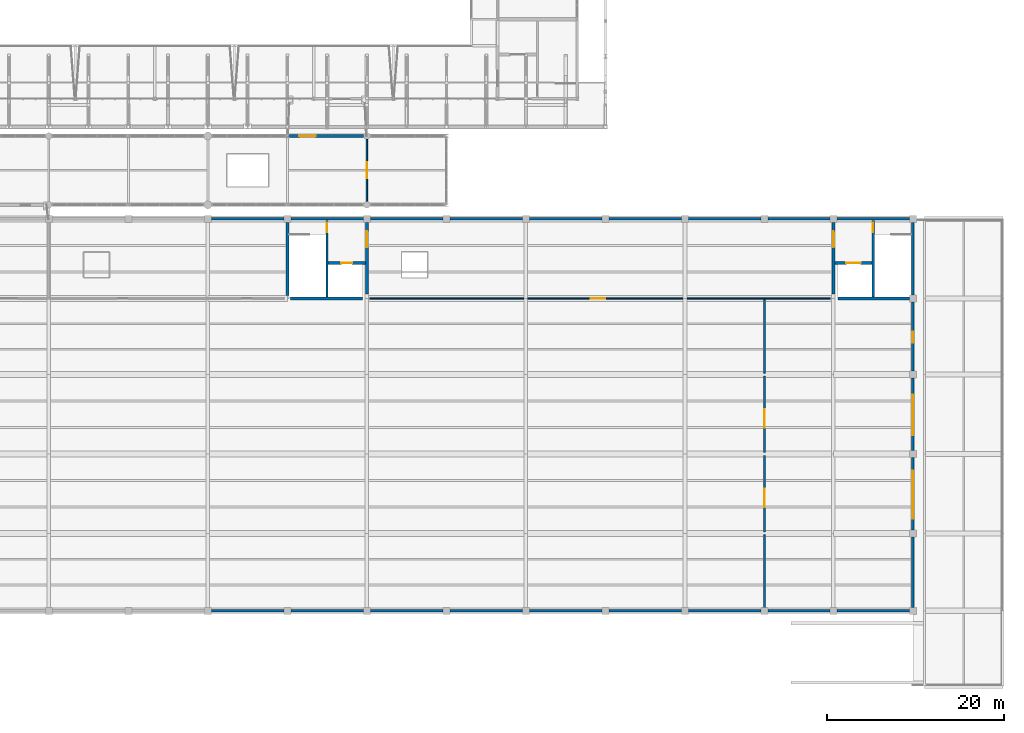
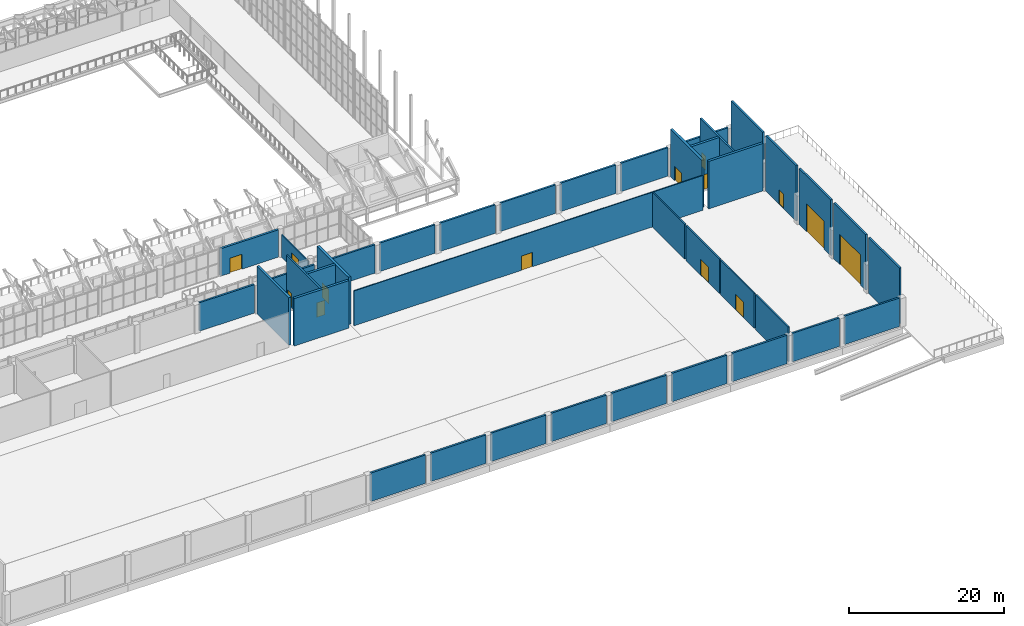
# One storey, part 116 of 134: 39 walls, 14 doors, 14 openings.
"""IFC4 building model written with IfcOpenShell, lengths in metres."""

from ifc_helpers import new_model, si_unit, direction, frame, frame_2d, origin, place, context, subcontext, project, spatial, rectangle, extrude, material, layer, layer_set, type_object, element, fill, save


model = new_model("IFC4")

# Units and contexts
model_context = context("Model", 3, precision=1e-05, world=origin(), true_north=direction((0.0, 1.0)))
body_context = subcontext(model_context, "Body", "Model", "MODEL_VIEW")
ifc_project = project(units=[si_unit("LENGTHUNIT", "METRE"), si_unit("AREAUNIT", "SQUARE_METRE"), si_unit("VOLUMEUNIT", "CUBIC_METRE"), si_unit("PLANEANGLEUNIT", "RADIAN"), si_unit("MASSUNIT", "GRAM", prefix="KILO")], contexts=[model_context])

# Site, building, storey
site_placement = place(None, origin())
site = spatial("IfcSite", under=ifc_project, at=site_placement, CompositionType="ELEMENT")
building_placement = place(site_placement, origin())
building = spatial("IfcBuilding", under=site, at=building_placement, Name="Cazmaro Siding Exhibition Halls", CompositionType="ELEMENT")
storey_placement = place(building_placement, frame((0.0, 0.0, 12.0)))
storey = spatial("IfcBuildingStorey", under=building, at=storey_placement, Name="L02", CompositionType="ELEMENT", Elevation=12.0)

# Wall, opening, door
ifc_material_1 = material(Name="Concrete f'c 45 MPa", Category="concrete")
ifc_layer_1 = layer(ifc_material_1, 0.320068359375)
ifc_layer_set_1 = layer_set([ifc_layer_1], Name="Concrete f'c 45 MPa")
wall_type_1 = type_object("IfcWallType", Name="EW-01", PredefinedType="STANDARD", material=ifc_layer_set_1)
wall_1_placement = place(storey_placement, frame((135.012939453125, 63.0, 0.0), z_axis=(0.0, 0.0, 1.0), x_axis=(1.0, 0.0, 0.0)))
wall_1 = element("IfcWall", 1, at=wall_1_placement, inside=storey, type_object=wall_type_1, Name="Concourse North Bridge Portal L02 EW-01 WL-E0181", PredefinedType="STANDARD", context=body_context, shape_type="SweptSolid", body=[
    extrude(rectangle(XDim=8.626953125, YDim=0.320068359375, at=frame_2d((4.3134765625, 0.0))), origin(), (0.0, 0.0, 1.0), 4.324951171875),
])
opening_1_placement = place(wall_1_placement, frame((1.3369140625, 0.0, 0.0)))
opening_1 = element("IfcOpeningElement", 2, at=opening_1_placement, cuts=wall_1, Name="Opening D-E048", PredefinedType="OPENING", context=body_context, shape_type="SweptSolid", body=[
    extrude(rectangle(XDim=1.85009765625, YDim=2.35009765625, at=frame_2d((0.925048828125, 1.175048828125))), frame((0.0, 0.169921875, 0.0), z_axis=(0.0, -1.0, 0.0), x_axis=(1.0, 0.0, 0.0)), (0.0, 0.0, 1.0), 0.340087890625),
])
ifc_material_2 = material(Name="Anodized Bronze Glazed Entrance Door", Category="aluminium")
door_type_1 = type_object("IfcDoorType", Name="ED-03", OperationType="DOUBLE_DOOR_SINGLE_SWING", PredefinedType="DOOR", material=ifc_material_2)
door_1_placement = place(opening_1_placement, origin())
door_1 = element("IfcDoor", 3, at=door_1_placement, inside=storey, type_object=door_type_1, Name="Exterior door D-E048 (ED-03)", OperationType="DOUBLE_DOOR_SINGLE_SWING", OverallHeight=2.35009765625, OverallWidth=1.85009765625, PredefinedType="DOOR", context=body_context, shape_type="SweptSolid", body=[
    extrude(rectangle(XDim=1.85009765625, YDim=2.35009765625, at=frame_2d((0.925048828125, 1.175048828125))), frame((0.0, 0.02490234375, 0.0), z_axis=(0.0, -1.0, 0.0), x_axis=(1.0, 0.0, 0.0)), (0.0, 0.0, 1.0), 0.050048828125),
])
fill(opening_1, door_1)

# Walls
ifc_material_3 = material(Name="Precast concrete f'c 40 MPa", Category="concrete")
ifc_layer_2 = layer(ifc_material_3, 0.280029296875)
ifc_layer_set_2 = layer_set([ifc_layer_2], Name="Precast concrete f'c 40 MPa")
wall_type_2 = type_object("IfcWallType", Name="EW-02", PredefinedType="STANDARD", material=ifc_layer_set_2)
for number, where, z_axis, x_axis, name in (
    (4, (134.60791015625, 9.25, 0.0), (0.0, 0.0, 1.0), (-1.0, 0.0, 0.0), "Hall B2 South Exhibition Wall EW-02 WL-E0074"),
    (5, (126.39208984375, 53.60009765625, 0.0), (0.0, 0.0, 1.0), (1.0, 0.0, 0.0), "Hall B2 North Exhibition Wall EW-02 WL-E0077"),
    (6, (143.60791015625, 9.25, 0.0), (0.0, 0.0, 1.0), (-1.0, 0.0, 0.0), "Hall B2 South Exhibition Wall EW-02 WL-E0080"),
    (7, (135.39208984375, 53.60009765625, 0.0), (0.0, 0.0, 1.0), (1.0, 0.0, 0.0), "Hall B2 North Exhibition Wall EW-02 WL-E0083"),
    (8, (152.60791015625, 9.25, 0.0), (0.0, 0.0, 1.0), (-1.0, 0.0, 0.0), "Hall B2 South Exhibition Wall EW-02 WL-E0086"),
    (9, (144.39208984375, 53.60009765625, 0.0), (0.0, 0.0, 1.0), (1.0, 0.0, 0.0), "Hall B2 North Exhibition Wall EW-02 WL-E0089"),
    (10, (161.60791015625, 9.25, 0.0), (0.0, 0.0, 1.0), (-1.0, 0.0, 0.0), "Hall B2 South Exhibition Wall EW-02 WL-E0092"),
    (11, (153.39208984375, 53.60009765625, 0.0), (0.0, 0.0, 1.0), (1.0, 0.0, 0.0), "Hall B2 North Exhibition Wall EW-02 WL-E0095"),
    (12, (170.60791015625, 9.25, 0.0), (0.0, 0.0, 1.0), (-1.0, 0.0, 0.0), "Hall B2 South Exhibition Wall EW-02 WL-E0098"),
    (13, (162.39208984375, 53.60009765625, 0.0), (0.0, 0.0, 1.0), (1.0, 0.0, 0.0), "Hall B2 North Exhibition Wall EW-02 WL-E0101"),
    (14, (179.60791015625, 9.25, 0.0), (0.0, 0.0, 1.0), (-1.0, 0.0, 0.0), "Hall B2 South Exhibition Wall EW-02 WL-E0104"),
    (15, (171.39208984375, 53.60009765625, 0.0), (0.0, 0.0, 1.0), (1.0, 0.0, 0.0), "Hall B2 North Exhibition Wall EW-02 WL-E0107"),
    (16, (188.60791015625, 9.25, 0.0), (0.0, 0.0, 1.0), (-1.0, 0.0, 0.0), "Hall B2 South Exhibition Wall EW-02 WL-E0110"),
    (17, (180.39208984375, 53.60009765625, 0.0), (0.0, 0.0, 1.0), (1.0, 0.0, 0.0), "Hall B2 North Exhibition Wall EW-02 WL-E0113"),
):
    element("IfcWall", number, at=place(storey_placement, frame(where, z_axis=z_axis, x_axis=x_axis)), inside=storey, type_object=wall_type_2, Name=name, PredefinedType="STANDARD", context=body_context, shape_type="SweptSolid", body=[
        extrude(rectangle(XDim=8.2158203125, YDim=0.280029296875, at=frame_2d((4.10791015625, 0.0))), origin(), (0.0, 0.0, 1.0), 4.5),
    ])
for number, where, z_axis, x_axis, name in (
    (18, (196.407958984375, 9.25, 0.0), (0.0, 0.0, 1.0), (-1.0, 0.0, 0.0), "Hall B2 South Exhibition Wall EW-02 WL-E0116"),
    (19, (189.39208984375, 53.60009765625, 0.0), (0.0, 0.0, 1.0), (1.0, 0.0, 0.0), "Hall B2 North Exhibition Wall EW-02 WL-E0119"),
):
    element("IfcWall", number, at=place(storey_placement, frame(where, z_axis=z_axis, x_axis=x_axis)), inside=storey, type_object=wall_type_2, Name=name, PredefinedType="STANDARD", context=body_context, shape_type="SweptSolid", body=[
        extrude(rectangle(XDim=7.015869140625, YDim=0.280029296875, at=frame_2d((3.5078125, 0.0))), origin(), (0.0, 0.0, 1.0), 4.5),
    ])
for number, where, z_axis, x_axis, name in (
    (20, (205.407958984375, 9.25, 0.0), (0.0, 0.0, 1.0), (-1.0, 0.0, 0.0), "Hall B2 South Exhibition Wall EW-02 WL-E0122"),
    (21, (197.19189453125, 53.60009765625, 0.0), (0.0, 0.0, 1.0), (1.0, 0.0, 0.0), "Hall B2 North Exhibition Wall EW-02 WL-E0125"),
):
    element("IfcWall", number, at=place(storey_placement, frame(where, z_axis=z_axis, x_axis=x_axis)), inside=storey, type_object=wall_type_2, Name=name, PredefinedType="STANDARD", context=body_context, shape_type="SweptSolid", body=[
        extrude(rectangle(XDim=8.216064453125, YDim=0.280029296875, at=frame_2d((4.10791015625, 0.0))), origin(), (0.0, 0.0, 1.0), 4.5),
    ])
wall_2_placement = place(storey_placement, frame((205.800048828125, 17.60791015625, 0.0), z_axis=(0.0, 0.0, 1.0), x_axis=(0.0, -1.0, 0.0)))
element("IfcWall", 22, at=wall_2_placement, inside=storey, type_object=wall_type_2, Name="Upper Marshalling Dock Wall EW-02 WL-E0131", PredefinedType="STANDARD", context=body_context, shape_type="SweptSolid", body=[
    extrude(rectangle(XDim=7.9658203125, YDim=0.280029296875, at=frame_2d((3.98291015625, 0.0))), origin(), (0.0, 0.0, 1.0), 8.800048828125),
])

# Wall, opening, door
wall_3_placement = place(storey_placement, frame((205.800048828125, 26.60791015625, 0.0), z_axis=(0.0, 0.0, 1.0), x_axis=(0.0, -1.0, 0.0)))
wall_3 = element("IfcWall", 23, at=wall_3_placement, inside=storey, type_object=wall_type_2, Name="Upper Marshalling Dock Wall EW-02 WL-E0137", PredefinedType="STANDARD", context=body_context, shape_type="SweptSolid", body=[
    extrude(rectangle(XDim=8.2158203125, YDim=0.280029296875, at=frame_2d((4.10791015625, 0.0))), origin(), (0.0, 0.0, 1.0), 8.800048828125),
])
opening_2_placement = place(wall_3_placement, frame((1.508056640625, 0.0, 0.0)))
opening_2 = element("IfcOpeningElement", 24, at=opening_2_placement, cuts=wall_3, Name="Opening VS-02", PredefinedType="OPENING", context=body_context, shape_type="SweptSolid", body=[
    extrude(rectangle(XDim=5.39990234375, YDim=4.800048828125, at=frame_2d((2.699951171875, 2.39990234375))), frame((0.0, 0.14990234375, 0.0), z_axis=(0.0, -1.0, 0.0), x_axis=(1.0, 0.0, 0.0)), (0.0, 0.0, 1.0), 0.300048828125),
])
ifc_material_4 = material(Name="Insulated Galvanized Steel Roller Shutter", Category="steel")
door_type_2 = type_object("IfcDoorType", Name="SH-01", OperationType="ROLLINGUP", PredefinedType="GATE", material=ifc_material_4)
door_2_placement = place(opening_2_placement, origin())
door_2 = element("IfcDoor", 25, at=door_2_placement, inside=storey, type_object=door_type_2, Name="Exterior door VS-02 (SH-01)", OperationType="ROLLINGUP", OverallHeight=4.800048828125, OverallWidth=5.39990234375, PredefinedType="GATE", context=body_context, shape_type="SweptSolid", body=[
    extrude(rectangle(XDim=5.39990234375, YDim=4.800048828125, at=frame_2d((2.699951171875, 2.39990234375))), frame((0.0, 0.02490234375, 0.0), z_axis=(0.0, -1.0, 0.0), x_axis=(1.0, 0.0, 0.0)), (0.0, 0.0, 1.0), 0.050048828125),
])
fill(opening_2, door_2)

wall_4_placement = place(storey_placement, frame((205.800048828125, 35.60791015625, 0.0), z_axis=(0.0, 0.0, 1.0), x_axis=(0.0, -1.0, 0.0)))
wall_4 = element("IfcWall", 26, at=wall_4_placement, inside=storey, type_object=wall_type_2, Name="Upper Marshalling Dock Wall EW-02 WL-E0143", PredefinedType="STANDARD", context=body_context, shape_type="SweptSolid", body=[
    extrude(rectangle(XDim=8.2158203125, YDim=0.280029296875, at=frame_2d((4.10791015625, 0.0))), origin(), (0.0, 0.0, 1.0), 8.800048828125),
])
opening_3_placement = place(wall_4_placement, frame((1.907958984375, 0.0, 0.0)))
opening_3 = element("IfcOpeningElement", 27, at=opening_3_placement, cuts=wall_4, Name="Opening VS-03", PredefinedType="OPENING", context=body_context, shape_type="SweptSolid", body=[
    extrude(rectangle(XDim=4.60009765625, YDim=4.39990234375, at=frame_2d((2.300048828125, 2.199951171875))), frame((0.0, 0.14990234375, 0.0), z_axis=(0.0, -1.0, 0.0), x_axis=(1.0, 0.0, 0.0)), (0.0, 0.0, 1.0), 0.300048828125),
])
ifc_material_5 = material(Name="Insulated Galvanized Steel Roller Shutter", Category="steel")
door_type_3 = type_object("IfcDoorType", Name="SH-02", OperationType="ROLLINGUP", PredefinedType="GATE", material=ifc_material_5)
door_3_placement = place(opening_3_placement, origin())
door_3 = element("IfcDoor", 28, at=door_3_placement, inside=storey, type_object=door_type_3, Name="Exterior door VS-03 (SH-02)", OperationType="ROLLINGUP", OverallHeight=4.39990234375, OverallWidth=4.60009765625, PredefinedType="GATE", context=body_context, shape_type="SweptSolid", body=[
    extrude(rectangle(XDim=4.60009765625, YDim=4.39990234375, at=frame_2d((2.300048828125, 2.199951171875))), frame((0.0, 0.02490234375, 0.0), z_axis=(0.0, -1.0, 0.0), x_axis=(1.0, 0.0, 0.0)), (0.0, 0.0, 1.0), 0.050048828125),
])
fill(opening_3, door_3)

wall_5_placement = place(storey_placement, frame((205.800048828125, 44.2080078125, 0.0), z_axis=(0.0, 0.0, 1.0), x_axis=(0.0, -1.0, 0.0)))
wall_5 = element("IfcWall", 29, at=wall_5_placement, inside=storey, type_object=wall_type_2, Name="Upper Marshalling Dock Wall EW-02 WL-E0149", PredefinedType="STANDARD", context=body_context, shape_type="SweptSolid", body=[
    extrude(rectangle(XDim=7.81591796875, YDim=0.280029296875, at=frame_2d((3.907958984375, 0.0))), origin(), (0.0, 0.0, 1.0), 8.800048828125),
])
opening_4_placement = place(wall_5_placement, frame((3.39794921875, 0.0, 0.0)))
opening_4 = element("IfcOpeningElement", 30, at=opening_4_placement, cuts=wall_5, Name="Opening D-E031", PredefinedType="OPENING", context=body_context, shape_type="SweptSolid", body=[
    extrude(rectangle(XDim=1.219970703125, YDim=2.320068359375, at=frame_2d((0.60986328125, 1.16015625))), frame((0.0, 0.14990234375, 0.0), z_axis=(0.0, -1.0, 0.0), x_axis=(1.0, 0.0, 0.0)), (0.0, 0.0, 1.0), 0.300048828125),
])
ifc_material_6 = material(Name="Anodized Bronze Glazed Entrance Door", Category="aluminium")
door_type_4 = type_object("IfcDoorType", Name="ED-05", OperationType="NOTDEFINED", PredefinedType="DOOR", material=ifc_material_6)
door_4_placement = place(opening_4_placement, origin())
door_4 = element("IfcDoor", 31, at=door_4_placement, inside=storey, type_object=door_type_4, Name="Exterior door D-E031 (ED-05)", OperationType="SINGLE_SWING_LEFT", OverallHeight=2.320068359375, OverallWidth=1.219970703125, PredefinedType="DOOR", context=body_context, shape_type="SweptSolid", body=[
    extrude(rectangle(XDim=1.219970703125, YDim=2.320068359375, at=frame_2d((0.60986328125, 1.16015625))), frame((0.0, 0.02490234375, 0.0), z_axis=(0.0, -1.0, 0.0), x_axis=(1.0, 0.0, 0.0)), (0.0, 0.0, 1.0), 0.050048828125),
])
fill(opening_4, door_4)

# Wall
wall_6_placement = place(storey_placement, frame((205.800048828125, 53.2080078125, 0.0), z_axis=(0.0, 0.0, 1.0), x_axis=(0.0, -1.0, 0.0)))
element("IfcWall", 32, at=wall_6_placement, inside=storey, type_object=wall_type_2, Name="Upper Marshalling Dock Wall EW-02 WL-E0155", PredefinedType="STANDARD", context=body_context, shape_type="SweptSolid", body=[
    extrude(rectangle(XDim=8.216064453125, YDim=0.280029296875, at=frame_2d((4.10791015625, 0.0))), origin(), (0.0, 0.0, 1.0), 8.800048828125),
])

# Wall, opening, door
ifc_material_7 = material(Name="Fire-Rated Gypsum Board on Cold-Formed Steel Studs", Category="steel")
ifc_layer_3 = layer(ifc_material_7, 0.14501953125)
ifc_layer_set_3 = layer_set([ifc_layer_3], Name="Fire-Rated Gypsum Board on Cold-Formed Steel Studs")
wall_type_3 = type_object("IfcWallType", Name="PW-01", PredefinedType="PARTITIONING", material=ifc_layer_set_3)
wall_7_placement = place(storey_placement, frame((144.344970703125, 44.60009765625, 0.0), z_axis=(0.0, 0.0, 1.0), x_axis=(1.0, 0.0, 0.0)))
wall_7 = element("IfcWall", 33, at=wall_7_placement, inside=storey, type_object=wall_type_3, Name="Upper Hall B2 Service Partition PW-01 WL-I0335", PredefinedType="PARTITIONING", context=body_context, shape_type="SweptSolid", body=[
    extrude(rectangle(XDim=52.110107421875, YDim=0.14501953125, at=frame_2d((26.05517578125, 0.0))), origin(), (0.0, 0.0, 1.0), 5.5),
])
opening_5_placement = place(wall_7_placement, frame((25.0, 0.0, 0.0)))
opening_5 = element("IfcOpeningElement", 34, at=opening_5_placement, cuts=wall_7, Name="Opening D-I162", PredefinedType="OPENING", context=body_context, shape_type="SweptSolid", body=[
    extrude(rectangle(XDim=1.64990234375, YDim=2.25, at=frame_2d((0.824951171875, 1.125))), frame((0.0, 0.08251953125, 0.0), z_axis=(0.0, -1.0, 0.0), x_axis=(1.0, 0.0, 0.0)), (0.0, 0.0, 1.0), 0.1650390625),
])
ifc_material_8 = material(Name="Fire-Rated Painted Hollow Metal Door", Category="steel")
door_type_5 = type_object("IfcDoorType", Name="ID-05", OperationType="DOUBLE_DOOR_SINGLE_SWING", PredefinedType="DOOR", material=ifc_material_8)
door_5_placement = place(opening_5_placement, origin())
door_5 = element("IfcDoor", 35, at=door_5_placement, inside=storey, type_object=door_type_5, Name="Interior door D-I162 (ID-05)", OperationType="DOUBLE_DOOR_SINGLE_SWING", OverallHeight=2.25, OverallWidth=1.64990234375, PredefinedType="DOOR", context=body_context, shape_type="SweptSolid", body=[
    extrude(rectangle(XDim=1.64990234375, YDim=2.25, at=frame_2d((0.824951171875, 1.125))), frame((0.0, 0.02490234375, 0.0), z_axis=(0.0, -1.0, 0.0), x_axis=(1.0, 0.0, 0.0)), (0.0, 0.0, 1.0), 0.050048828125),
])
fill(opening_5, door_5)

wall_8_placement = place(storey_placement, frame((144.0, 55.55810546875, 0.0), z_axis=(0.0, 0.0, 1.0), x_axis=(0.0, 1.0, 0.0)))
wall_8 = element("IfcWall", 36, at=wall_8_placement, inside=storey, type_object=wall_type_3, Name="Concourse Lounge Partition L02 PW-01 WL-I0343", PredefinedType="PARTITIONING", context=body_context, shape_type="SweptSolid", body=[
    extrude(rectangle(XDim=7.083984375, YDim=0.14501953125, at=frame_2d((3.5419921875, 0.0))), origin(), (0.0, 0.0, 1.0), 3.60009765625),
])
opening_6_placement = place(wall_8_placement, frame((2.64208984375, 0.0, 0.0)))
opening_6 = element("IfcOpeningElement", 37, at=opening_6_placement, cuts=wall_8, Name="Opening D-I166", PredefinedType="OPENING", context=body_context, shape_type="SweptSolid", body=[
    extrude(rectangle(XDim=1.800048828125, YDim=2.300048828125, at=frame_2d((0.89990234375, 1.14990234375))), frame((0.0, 0.08251953125, 0.0), z_axis=(0.0, -1.0, 0.0), x_axis=(1.0, 0.0, 0.0)), (0.0, 0.0, 1.0), 0.1650390625),
])
ifc_material_9 = material(Name="Fire-Rated Painted Hollow Metal Door", Category="steel")
door_type_6 = type_object("IfcDoorType", Name="ID-02", OperationType="DOUBLE_DOOR_SINGLE_SWING", PredefinedType="DOOR", material=ifc_material_9)
door_6_placement = place(opening_6_placement, origin())
door_6 = element("IfcDoor", 38, at=door_6_placement, inside=storey, type_object=door_type_6, Name="Interior door D-I166 (ID-02)", OperationType="DOUBLE_DOOR_SINGLE_SWING", OverallHeight=2.300048828125, OverallWidth=1.800048828125, PredefinedType="DOOR", context=body_context, shape_type="SweptSolid", body=[
    extrude(rectangle(XDim=1.800048828125, YDim=2.300048828125, at=frame_2d((0.89990234375, 1.14990234375))), frame((0.0, 0.02490234375, 0.0), z_axis=(0.0, -1.0, 0.0), x_axis=(1.0, 0.0, 0.0)), (0.0, 0.0, 1.0), 0.050048828125),
])
fill(opening_6, door_6)

# Wall
ifc_material_10 = material(Name="Concrete Masonry Unit Acoustic Partition", Category="masonry")
ifc_layer_4 = layer(ifc_material_10, 0.205078125)
ifc_layer_set_4 = layer_set([ifc_layer_4], Name="Concrete Masonry Unit Acoustic Partition")
wall_type_4 = type_object("IfcWallType", Name="PW-04", PredefinedType="PARTITIONING", material=ifc_layer_set_4)
wall_9_placement = place(storey_placement, frame((189.0, 9.39990234375, 0.0), z_axis=(0.0, 0.0, 1.0), x_axis=(0.0, 1.0, 0.0)))
element("IfcWall", 39, at=wall_9_placement, inside=storey, type_object=wall_type_4, Name="Upper Hall B2 Freight Dock Partition PW-04 WL-I0338", PredefinedType="PARTITIONING", context=body_context, shape_type="SweptSolid", body=[
    extrude(rectangle(XDim=8.4501953125, YDim=0.205078125, at=frame_2d((4.22509765625, 0.0))), origin(), (0.0, 0.0, 1.0), 5.5),
])

# Wall, opening, door
wall_10_placement = place(storey_placement, frame((189.0, 18.14990234375, 0.0), z_axis=(0.0, 0.0, 1.0), x_axis=(0.0, 1.0, 0.0)))
wall_10 = element("IfcWall", 40, at=wall_10_placement, inside=storey, type_object=wall_type_4, Name="Upper Hall B2 Freight Dock Partition PW-04 WL-I0339", PredefinedType="PARTITIONING", context=body_context, shape_type="SweptSolid", body=[
    extrude(rectangle(XDim=8.7001953125, YDim=0.205078125, at=frame_2d((4.35009765625, 0.0))), origin(), (0.0, 0.0, 1.0), 5.5),
])
opening_7_placement = place(wall_10_placement, frame((2.800048828125, 0.0, 0.0)))
opening_7 = element("IfcOpeningElement", 41, at=opening_7_placement, cuts=wall_10, Name="Opening D-I163", PredefinedType="OPENING", context=body_context, shape_type="SweptSolid", body=[
    extrude(rectangle(XDim=2.10009765625, YDim=2.449951171875, at=frame_2d((1.050048828125, 1.22509765625))), frame((0.0, 0.112548828125, 0.0), z_axis=(0.0, -1.0, 0.0), x_axis=(1.0, 0.0, 0.0)), (0.0, 0.0, 1.0), 0.22509765625),
])
ifc_material_11 = material(Name="Fire-Rated Painted Hollow Metal Door", Category="steel")
door_type_7 = type_object("IfcDoorType", Name="ID-12", OperationType="DOUBLE_DOOR_SINGLE_SWING", PredefinedType="DOOR", material=ifc_material_11)
door_7_placement = place(opening_7_placement, origin())
door_7 = element("IfcDoor", 42, at=door_7_placement, inside=storey, type_object=door_type_7, Name="Interior door D-I163 (ID-12)", OperationType="DOUBLE_DOOR_SINGLE_SWING", OverallHeight=2.449951171875, OverallWidth=2.10009765625, PredefinedType="DOOR", context=body_context, shape_type="SweptSolid", body=[
    extrude(rectangle(XDim=2.10009765625, YDim=2.449951171875, at=frame_2d((1.050048828125, 1.22509765625))), frame((0.0, 0.02490234375, 0.0), z_axis=(0.0, -1.0, 0.0), x_axis=(1.0, 0.0, 0.0)), (0.0, 0.0, 1.0), 0.050048828125),
])
fill(opening_7, door_7)

wall_11_placement = place(storey_placement, frame((189.0, 27.14990234375, 0.0), z_axis=(0.0, 0.0, 1.0), x_axis=(0.0, 1.0, 0.0)))
wall_11 = element("IfcWall", 43, at=wall_11_placement, inside=storey, type_object=wall_type_4, Name="Upper Hall B2 Freight Dock Partition PW-04 WL-I0340", PredefinedType="PARTITIONING", context=body_context, shape_type="SweptSolid", body=[
    extrude(rectangle(XDim=8.7001953125, YDim=0.205078125, at=frame_2d((4.35009765625, 0.0))), origin(), (0.0, 0.0, 1.0), 5.5),
])
opening_8_placement = place(wall_11_placement, frame((2.800048828125, 0.0, 0.0)))
opening_8 = element("IfcOpeningElement", 44, at=opening_8_placement, cuts=wall_11, Name="Opening D-I164", PredefinedType="OPENING", context=body_context, shape_type="SweptSolid", body=[
    extrude(rectangle(XDim=2.10009765625, YDim=2.449951171875, at=frame_2d((1.050048828125, 1.22509765625))), frame((0.0, 0.112548828125, 0.0), z_axis=(0.0, -1.0, 0.0), x_axis=(1.0, 0.0, 0.0)), (0.0, 0.0, 1.0), 0.22509765625),
])
door_8_placement = place(opening_8_placement, origin())
door_8 = element("IfcDoor", 45, at=door_8_placement, inside=storey, type_object=door_type_7, Name="Interior door D-I164 (ID-12)", OperationType="DOUBLE_DOOR_SINGLE_SWING", OverallHeight=2.449951171875, OverallWidth=2.10009765625, PredefinedType="DOOR", context=body_context, shape_type="SweptSolid", body=[
    extrude(rectangle(XDim=2.10009765625, YDim=2.449951171875, at=frame_2d((1.050048828125, 1.22509765625))), frame((0.0, 0.02490234375, 0.0), z_axis=(0.0, -1.0, 0.0), x_axis=(1.0, 0.0, 0.0)), (0.0, 0.0, 1.0), 0.050048828125),
])
fill(opening_8, door_8)

# Walls
wall_12_placement = place(storey_placement, frame((189.0, 36.14990234375, 0.0), z_axis=(0.0, 0.0, 1.0), x_axis=(0.0, 1.0, 0.0)))
element("IfcWall", 46, at=wall_12_placement, inside=storey, type_object=wall_type_4, Name="Upper Hall B2 Freight Dock Partition PW-04 WL-I0341", PredefinedType="PARTITIONING", context=body_context, shape_type="SweptSolid", body=[
    extrude(rectangle(XDim=8.300048828125, YDim=0.205078125, at=frame_2d((4.14990234375, 0.0))), origin(), (0.0, 0.0, 1.0), 5.5),
])
ifc_material_12 = material(Name="Concrete f'c 50 MPa", Category="concrete")
ifc_layer_5 = layer(ifc_material_12, 0.360107421875)
ifc_layer_set_5 = layer_set([ifc_layer_5], Name="Concrete f'c 50 MPa")
wall_type_5 = type_object("IfcWallType", Name="SW-01", PredefinedType="SHEAR", material=ifc_layer_set_5)
wall_13_placement = place(storey_placement, frame((135.0, 44.945068359375, 0.0), z_axis=(0.0, 0.0, 1.0), x_axis=(0.0, 1.0, 0.0)))
element("IfcWall", 47, at=wall_13_placement, inside=storey, type_object=wall_type_5, Name="Core C4 West Shear Wall SW-01 WL-I0047", PredefinedType="SHEAR", context=body_context, shape_type="SweptSolid", body=[
    extrude(rectangle(XDim=8.260009765625, YDim=0.360107421875, at=frame_2d((4.1298828125, 0.0))), origin(), (0.0, 0.0, 1.0), 7.5),
])

# Wall, opening, door
wall_14_placement = place(storey_placement, frame((144.0, 45.094970703125, 0.0), z_axis=(0.0, 0.0, 1.0), x_axis=(0.0, 1.0, 0.0)))
wall_14 = element("IfcWall", 48, at=wall_14_placement, inside=storey, type_object=wall_type_5, Name="Core C4 East Shear Wall SW-01 WL-I0048", PredefinedType="SHEAR", context=body_context, shape_type="SweptSolid", body=[
    extrude(rectangle(XDim=8.110107421875, YDim=0.360107421875, at=frame_2d((4.05517578125, 0.0))), origin(), (0.0, 0.0, 1.0), 7.5),
])
opening_9_placement = place(wall_14_placement, frame((5.304931640625, 0.0, 0.0)))
opening_9 = element("IfcOpeningElement", 49, at=opening_9_placement, cuts=wall_14, Name="Opening D-I024", PredefinedType="OPENING", context=body_context, shape_type="SweptSolid", body=[
    extrude(rectangle(XDim=1.800048828125, YDim=2.300048828125, at=frame_2d((0.89990234375, 1.14990234375))), frame((0.0, 0.18994140625, 0.0), z_axis=(0.0, -1.0, 0.0), x_axis=(1.0, 0.0, 0.0)), (0.0, 0.0, 1.0), 0.380126953125),
])
door_9_placement = place(opening_9_placement, origin())
door_9 = element("IfcDoor", 50, at=door_9_placement, inside=storey, type_object=door_type_6, Name="Interior door D-I024 (ID-02)", OperationType="DOUBLE_DOOR_SINGLE_SWING", OverallHeight=2.300048828125, OverallWidth=1.800048828125, PredefinedType="DOOR", context=body_context, shape_type="SweptSolid", body=[
    extrude(rectangle(XDim=1.800048828125, YDim=2.300048828125, at=frame_2d((0.89990234375, 1.14990234375))), frame((0.0, 0.02490234375, 0.0), z_axis=(0.0, -1.0, 0.0), x_axis=(1.0, 0.0, 0.0)), (0.0, 0.0, 1.0), 0.050048828125),
])
fill(opening_9, door_9)

# Wall
wall_15_placement = place(storey_placement, frame((135.344970703125, 44.60009765625, 0.0), z_axis=(0.0, 0.0, 1.0), x_axis=(1.0, 0.0, 0.0)))
element("IfcWall", 51, at=wall_15_placement, inside=storey, type_object=wall_type_5, Name="Core C4 South Shear Wall SW-01 WL-I0049", PredefinedType="SHEAR", context=body_context, shape_type="SweptSolid", body=[
    extrude(rectangle(XDim=8.159912109375, YDim=0.360107421875, at=frame_2d((4.080078125, 0.0))), origin(), (0.0, 0.0, 1.0), 7.5),
])

# Wall, opening, door
wall_16_placement = place(storey_placement, frame((139.614990234375, 48.60009765625, 0.0), z_axis=(0.0, 0.0, 1.0), x_axis=(1.0, 0.0, 0.0)))
wall_16 = element("IfcWall", 52, at=wall_16_placement, inside=storey, type_object=wall_type_5, Name="Core C4 Lift Shaft Wall SW-01 WL-I0051", PredefinedType="SHEAR", context=body_context, shape_type="SweptSolid", body=[
    extrude(rectangle(XDim=4.219970703125, YDim=0.360107421875, at=frame_2d((2.10986328125, 0.0))), origin(), (0.0, 0.0, 1.0), 7.5),
])
opening_10_placement = place(wall_16_placement, frame((1.510009765625, 0.0, 0.0)))
opening_10 = element("IfcOpeningElement", 53, at=opening_10_placement, cuts=wall_16, Name="Opening LD-012", PredefinedType="OPENING", context=body_context, shape_type="SweptSolid", body=[
    extrude(rectangle(XDim=1.199951171875, YDim=2.300048828125, at=frame_2d((0.60009765625, 1.14990234375))), frame((0.0, 0.18994140625, 0.0), z_axis=(0.0, -1.0, 0.0), x_axis=(1.0, 0.0, 0.0)), (0.0, 0.0, 1.0), 0.380126953125),
])
ifc_material_13 = material(Name="Stainless Steel Elevator Landing Door", Category="steel")
door_type_8 = type_object("IfcDoorType", Name="LD-01", OperationType="SLIDING_TO_LEFT", PredefinedType="DOOR", material=ifc_material_13)
door_10_placement = place(opening_10_placement, origin())
door_10 = element("IfcDoor", 54, at=door_10_placement, inside=storey, type_object=door_type_8, Name="Interior door LD-012 (LD-01)", OperationType="SLIDING_TO_LEFT", OverallHeight=2.300048828125, OverallWidth=1.199951171875, PredefinedType="DOOR", context=body_context, shape_type="SweptSolid", body=[
    extrude(rectangle(XDim=1.199951171875, YDim=2.300048828125, at=frame_2d((0.60009765625, 1.14990234375))), frame((0.0, 0.02490234375, 0.0), z_axis=(0.0, -1.0, 0.0), x_axis=(1.0, 0.0, 0.0)), (0.0, 0.0, 1.0), 0.050048828125),
])
fill(opening_10, door_10)

wall_17_placement = place(storey_placement, frame((196.800048828125, 45.094970703125, 0.0), z_axis=(0.0, 0.0, 1.0), x_axis=(0.0, 1.0, 0.0)))
wall_17 = element("IfcWall", 55, at=wall_17_placement, inside=storey, type_object=wall_type_5, Name="Core C5 West Shear Wall SW-01 WL-I0060", PredefinedType="SHEAR", context=body_context, shape_type="SweptSolid", body=[
    extrude(rectangle(XDim=8.110107421875, YDim=0.360107421875, at=frame_2d((4.05517578125, 0.0))), origin(), (0.0, 0.0, 1.0), 7.5),
])
opening_11_placement = place(wall_17_placement, frame((5.304931640625, 0.0, 0.0)))
opening_11 = element("IfcOpeningElement", 56, at=opening_11_placement, cuts=wall_17, Name="Opening D-I030", PredefinedType="OPENING", context=body_context, shape_type="SweptSolid", body=[
    extrude(rectangle(XDim=1.800048828125, YDim=2.300048828125, at=frame_2d((0.89990234375, 1.14990234375))), frame((0.0, 0.18994140625, 0.0), z_axis=(0.0, -1.0, 0.0), x_axis=(1.0, 0.0, 0.0)), (0.0, 0.0, 1.0), 0.380126953125),
])
door_11_placement = place(opening_11_placement, origin())
door_11 = element("IfcDoor", 57, at=door_11_placement, inside=storey, type_object=door_type_6, Name="Interior door D-I030 (ID-02)", OperationType="DOUBLE_DOOR_SINGLE_SWING", OverallHeight=2.300048828125, OverallWidth=1.800048828125, PredefinedType="DOOR", context=body_context, shape_type="SweptSolid", body=[
    extrude(rectangle(XDim=1.800048828125, YDim=2.300048828125, at=frame_2d((0.89990234375, 1.14990234375))), frame((0.0, 0.02490234375, 0.0), z_axis=(0.0, -1.0, 0.0), x_axis=(1.0, 0.0, 0.0)), (0.0, 0.0, 1.0), 0.050048828125),
])
fill(opening_11, door_11)

# Wall
wall_18_placement = place(storey_placement, frame((197.294921875, 44.60009765625, 0.0), z_axis=(0.0, 0.0, 1.0), x_axis=(1.0, 0.0, 0.0)))
element("IfcWall", 58, at=wall_18_placement, inside=storey, type_object=wall_type_5, Name="Core C5 South Shear Wall SW-01 WL-I0061", PredefinedType="SHEAR", context=body_context, shape_type="SweptSolid", body=[
    extrude(rectangle(XDim=8.110107421875, YDim=0.360107421875, at=frame_2d((4.05517578125, 0.0))), origin(), (0.0, 0.0, 1.0), 7.5),
])

# Wall, opening, door
wall_19_placement = place(storey_placement, frame((196.965087890625, 48.60009765625, 0.0), z_axis=(0.0, 0.0, 1.0), x_axis=(1.0, 0.0, 0.0)))
wall_19 = element("IfcWall", 59, at=wall_19_placement, inside=storey, type_object=wall_type_5, Name="Core C5 Lift Shaft Wall SW-01 WL-I0063", PredefinedType="SHEAR", context=body_context, shape_type="SweptSolid", body=[
    extrude(rectangle(XDim=4.219970703125, YDim=0.360107421875, at=frame_2d((2.10986328125, 0.0))), origin(), (0.0, 0.0, 1.0), 7.5),
])
opening_12_placement = place(wall_19_placement, frame((1.31005859375, 0.0, 0.0)))
opening_12 = element("IfcOpeningElement", 60, at=opening_12_placement, cuts=wall_19, Name="Opening LD-015", PredefinedType="OPENING", context=body_context, shape_type="SweptSolid", body=[
    extrude(rectangle(XDim=1.60009765625, YDim=2.39990234375, at=frame_2d((0.800048828125, 1.199951171875))), frame((0.0, 0.18994140625, 0.0), z_axis=(0.0, -1.0, 0.0), x_axis=(1.0, 0.0, 0.0)), (0.0, 0.0, 1.0), 0.380126953125),
])
ifc_material_14 = material(Name="Stainless Steel Elevator Landing Door", Category="steel")
door_type_9 = type_object("IfcDoorType", Name="LD-02", OperationType="DOUBLE_DOOR_SLIDING", PredefinedType="DOOR", material=ifc_material_14)
door_12_placement = place(opening_12_placement, origin())
door_12 = element("IfcDoor", 61, at=door_12_placement, inside=storey, type_object=door_type_9, Name="Interior door LD-015 (LD-02)", OperationType="DOUBLE_DOOR_SLIDING", OverallHeight=2.39990234375, OverallWidth=1.60009765625, PredefinedType="DOOR", context=body_context, shape_type="SweptSolid", body=[
    extrude(rectangle(XDim=1.60009765625, YDim=2.39990234375, at=frame_2d((0.800048828125, 1.199951171875))), frame((0.0, 0.02490234375, 0.0), z_axis=(0.0, -1.0, 0.0), x_axis=(1.0, 0.0, 0.0)), (0.0, 0.0, 1.0), 0.050048828125),
])
fill(opening_12, door_12)

ifc_material_15 = material(Name="Concrete f'c 50 MPa", Category="concrete")
ifc_layer_6 = layer(ifc_material_15, 0.25)
ifc_layer_set_6 = layer_set([ifc_layer_6], Name="Concrete f'c 50 MPa")
wall_type_6 = type_object("IfcWallType", Name="SW-02", PredefinedType="SHEAR", material=ifc_layer_set_6)
wall_20_placement = place(storey_placement, frame((139.5, 44.764892578125, 0.0), z_axis=(0.0, 0.0, 1.0), x_axis=(0.0, 1.0, 0.0)))
wall_20 = element("IfcWall", 62, at=wall_20_placement, inside=storey, type_object=wall_type_6, Name="Core C4 Stair-Lobby Divider SW-02 WL-I0050", PredefinedType="SHEAR", context=body_context, shape_type="SweptSolid", body=[
    extrude(rectangle(XDim=8.670166015625, YDim=0.25, at=frame_2d((4.3349609375, 0.0))), origin(), (0.0, 0.0, 1.0), 7.5),
])
opening_13_placement = place(wall_20_placement, frame((7.320068359375, 0.0, 0.0)))
opening_13 = element("IfcOpeningElement", 63, at=opening_13_placement, cuts=wall_20, Name="Opening D-I023", PredefinedType="OPENING", context=body_context, shape_type="SweptSolid", body=[
    extrude(rectangle(XDim=1.10009765625, YDim=2.199951171875, at=frame_2d((0.550048828125, 1.10009765625))), frame((0.0, 0.135009765625, 0.0), z_axis=(0.0, -1.0, 0.0), x_axis=(1.0, 0.0, 0.0)), (0.0, 0.0, 1.0), 0.27001953125),
])
ifc_material_16 = material(Name="Fire-Rated Painted Hollow Metal Door", Category="steel")
door_type_10 = type_object("IfcDoorType", Name="ID-01", OperationType="NOTDEFINED", PredefinedType="DOOR", material=ifc_material_16)
door_13_placement = place(opening_13_placement, origin())
door_13 = element("IfcDoor", 64, at=door_13_placement, inside=storey, type_object=door_type_10, Name="Interior door D-I023 (ID-01)", OperationType="SINGLE_SWING_RIGHT", OverallHeight=2.199951171875, OverallWidth=1.10009765625, PredefinedType="DOOR", context=body_context, shape_type="SweptSolid", body=[
    extrude(rectangle(XDim=1.10009765625, YDim=2.199951171875, at=frame_2d((0.550048828125, 1.10009765625))), frame((0.0, 0.02490234375, 0.0), z_axis=(0.0, -1.0, 0.0), x_axis=(1.0, 0.0, 0.0)), (0.0, 0.0, 1.0), 0.050048828125),
])
fill(opening_13, door_13)

wall_21_placement = place(storey_placement, frame((201.300048828125, 53.43505859375, 0.0), z_axis=(0.0, 0.0, 1.0), x_axis=(0.0, -1.0, 0.0)))
wall_21 = element("IfcWall", 65, at=wall_21_placement, inside=storey, type_object=wall_type_6, Name="Core C5 Stair-Lobby Divider SW-02 WL-I0062", PredefinedType="SHEAR", context=body_context, shape_type="SweptSolid", body=[
    extrude(rectangle(XDim=8.670166015625, YDim=0.25, at=frame_2d((4.3349609375, 0.0))), origin(), (0.0, 0.0, 1.0), 7.5),
])
opening_14_placement = place(wall_21_placement, frame((0.25, 0.0, 0.0)))
opening_14 = element("IfcOpeningElement", 66, at=opening_14_placement, cuts=wall_21, Name="Opening D-I029", PredefinedType="OPENING", context=body_context, shape_type="SweptSolid", body=[
    extrude(rectangle(XDim=1.10009765625, YDim=2.199951171875, at=frame_2d((0.550048828125, 1.10009765625))), frame((0.0, 0.135009765625, 0.0), z_axis=(0.0, -1.0, 0.0), x_axis=(1.0, 0.0, 0.0)), (0.0, 0.0, 1.0), 0.27001953125),
])
door_14_placement = place(opening_14_placement, origin())
door_14 = element("IfcDoor", 67, at=door_14_placement, inside=storey, type_object=door_type_10, Name="Interior door D-I029 (ID-01)", OperationType="SINGLE_SWING_LEFT", OverallHeight=2.199951171875, OverallWidth=1.10009765625, PredefinedType="DOOR", context=body_context, shape_type="SweptSolid", body=[
    extrude(rectangle(XDim=1.10009765625, YDim=2.199951171875, at=frame_2d((0.550048828125, 1.10009765625))), frame((0.0, 0.02490234375, 0.0), z_axis=(0.0, -1.0, 0.0), x_axis=(1.0, 0.0, 0.0)), (0.0, 0.0, 1.0), 0.050048828125),
])
fill(opening_14, door_14)

save(model, "model.ifc")
